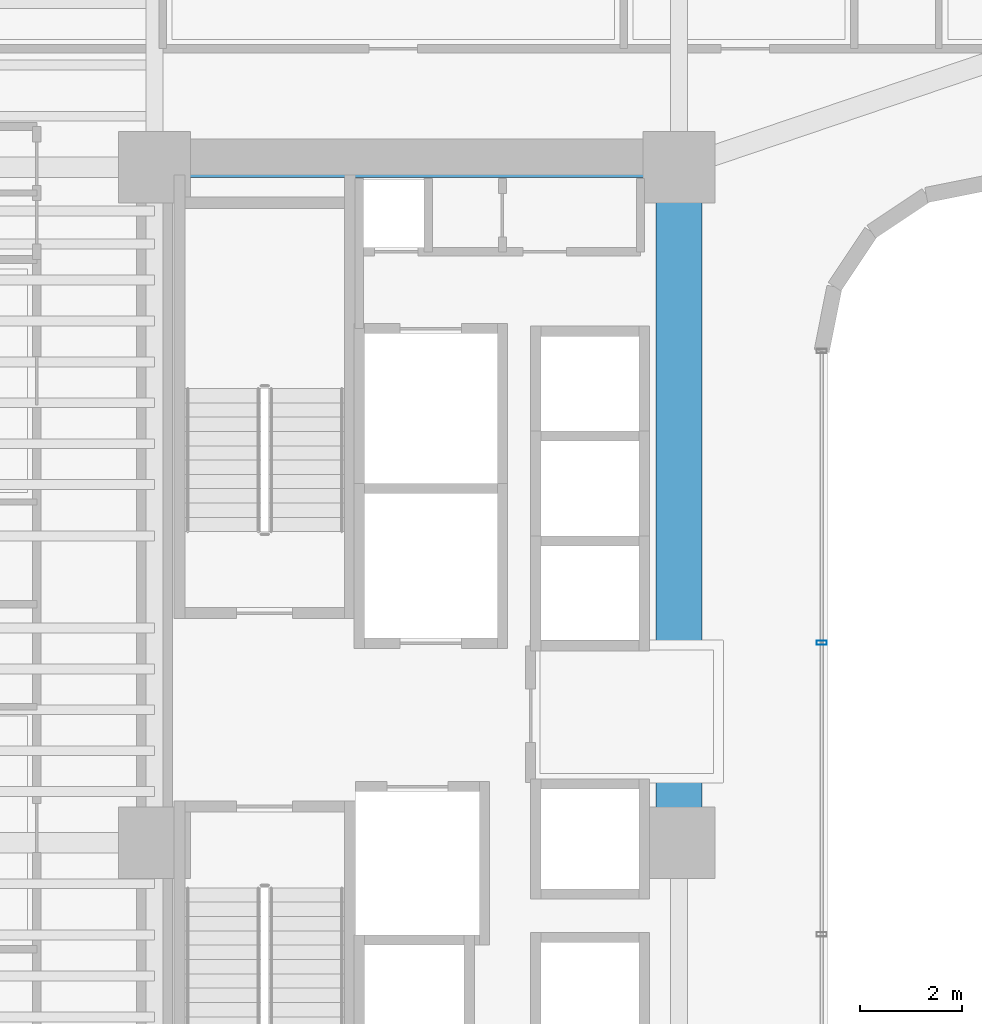
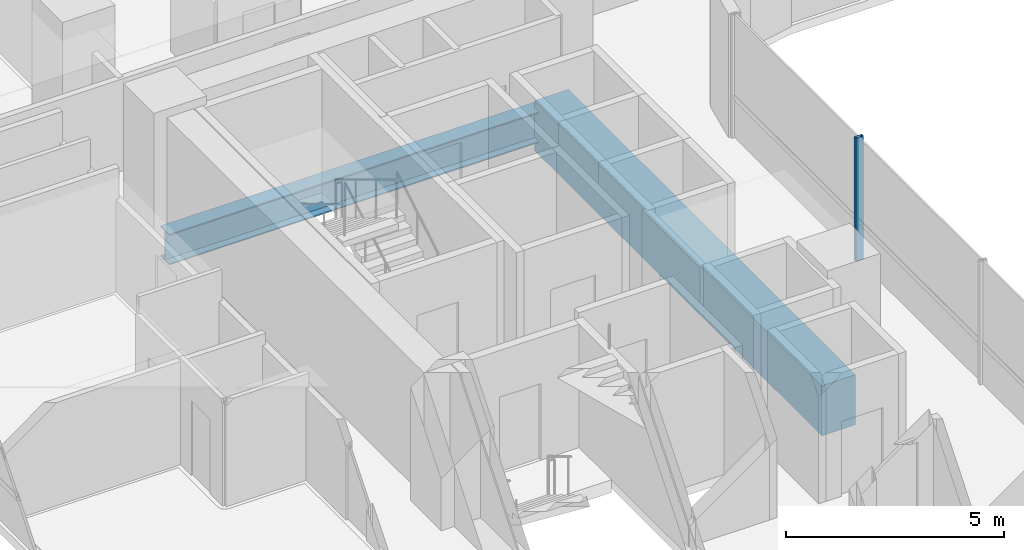
# One storey, part 11 of 42: 2 beams, 1 member, 1 element without a shape of its own.
"""IFC4 building model written with IfcOpenShell, lengths in metres."""

from ifc_helpers import new_model, si_unit, direction, frame, origin, origin_2d, place, context, subcontext, project, spatial, rectangle, hollow_rectangle, i_section, extrude, source, transform, mapped, material, material_profile, profile_set, type_object, element, aggregate, save


model = new_model("IFC4")

# Units and contexts
model_context = context("Model", 3, precision=1e-05, world=origin(), true_north=direction((0.0, 1.0)))
body_context = subcontext(model_context, "Body", "Model", "MODEL_VIEW")
ifc_project = project(units=[si_unit("LENGTHUNIT", "METRE"), si_unit("AREAUNIT", "SQUARE_METRE"), si_unit("VOLUMEUNIT", "CUBIC_METRE"), si_unit("PLANEANGLEUNIT", "RADIAN"), si_unit("MASSUNIT", "GRAM", prefix="KILO")], contexts=[model_context])

# Site, building, storey
site_placement = place(None, origin())
site = spatial("IfcSite", under=ifc_project, at=site_placement, CompositionType="ELEMENT")
building_placement = place(site_placement, origin())
building = spatial("IfcBuilding", under=site, at=building_placement, Name="Valdorenza Pilgrim Sanctuary Tower", CompositionType="ELEMENT")
storey_placement = place(building_placement, frame((0.0, 0.0, 29.699951171875)))
storey = spatial("IfcBuildingStorey", under=building, at=storey_placement, Name="L06", CompositionType="ELEMENT", Elevation=29.699951171875)

# Beams
ifc_material_1 = material(Name="Concrete C60/75", Category="concrete")
ifc_material_profile_1 = material_profile(ifc_material_1, rectangle(XDim=0.89990234375, YDim=1.39990234375, at=origin_2d()), Name="RC 1400x900")
ifc_profile_set_1 = profile_set([ifc_material_profile_1], Name="Concrete C60/75")
beam_type_1 = type_object("IfcBeamType", Name="STR-BM-LNT-1400", PredefinedType="LINTEL", material=ifc_profile_set_1)
shared_shape_1 = source(origin(), body_context, "Body", "SweptSolid", [
    extrude(rectangle(XDim=0.89990234375, YDim=1.39990234375, at=origin_2d()), origin(), (0.0, 0.0, 1.0), 13.2001953125),
])
beam_1_placement = place(storey_placement, frame((-12.39990234375, -2.60009765625, -0.739990234375), z_axis=(0.0, 1.0, 0.0), x_axis=(-1.0, 0.0, 0.0)))
element("IfcBeam", 1, at=beam_1_placement, inside=storey, type_object=beam_type_1, Name="L06 Core A Coupling Lintel Girder", PredefinedType="LINTEL", context=body_context, shape_type="MappedRepresentation", body=[
    mapped(shared_shape_1, transform((0.0, 0.0, 0.0), x_axis=(1.0, 0.0, 0.0), y_axis=(0.0, 1.0, 0.0), z_axis=(0.0, 0.0, 1.0), scale=1.0)),
])
ifc_material_2 = material(Name="Steel ASTM A992 Grade 50", Category="steel")
ifc_material_profile_2 = material_profile(ifc_material_2, i_section(OverallWidth=0.39990234375, OverallDepth=0.862060546875, WebThickness=0.019775390625, FlangeThickness=0.032470703125, at=origin_2d()), Name="W33X221")
ifc_profile_set_2 = profile_set([ifc_material_profile_2], Name="Steel ASTM A992 Grade 50")
beam_type_2 = type_object("IfcBeamType", Name="STR-BM-GRD-W33", PredefinedType="BEAM", material=ifc_profile_set_2)
shared_shape_2 = source(origin(), body_context, "Body", "SweptSolid", [
    extrude(i_section(OverallWidth=0.39990234375, OverallDepth=0.862060546875, WebThickness=0.019775390625, FlangeThickness=0.032470703125, at=origin_2d()), origin(), (0.0, 0.0, 1.0), 10.25),
])
beam_2_placement = place(storey_placement, frame((-22.64990234375, 10.60009765625, -0.6708984375), z_axis=(1.0, 0.0, 0.0), x_axis=(0.0, 1.0, 0.0)))
element("IfcBeam", 2, at=beam_2_placement, inside=storey, type_object=beam_type_2, Name="L06 Floor Girder CA-XC-N1", PredefinedType="BEAM", context=body_context, shape_type="MappedRepresentation", body=[
    mapped(shared_shape_2, transform((0.0, 0.0, 0.0), x_axis=(1.0, 0.0, 0.0), y_axis=(0.0, 1.0, 0.0), z_axis=(0.0, 0.0, 1.0), scale=1.0)),
])

# Curtain wall, member
ifc_material_3 = material(Name="Curtain-wall IGU glazing", Category="glass")
curtain_wall_type = type_object("IfcCurtainWallType", Name="CW-SYS-02", PredefinedType="NOTDEFINED", material=ifc_material_3)
curtain_wall_placement = place(storey_placement, origin())
curtain_wall = element("IfcCurtainWall", 3, at=curtain_wall_placement, inside=storey, type_object=curtain_wall_type, Name="L06 Curtain Wall CW-L06-1-41", PredefinedType="NOTDEFINED")
ifc_material_4 = material(Name="Anodised aluminium AW-6060", Category="aluminium")
ifc_material_profile_3 = material_profile(ifc_material_4, hollow_rectangle(XDim=0.0849609375, YDim=0.199951171875, WallThickness=0.0048828125, at=origin_2d()), Name="ALU-M 200x85x5")
ifc_profile_set_3 = profile_set([ifc_material_profile_3], Name="Anodised aluminium AW-6060")
member_type = type_object("IfcMemberType", Name="CW-MUL-02", PredefinedType="MULLION", material=ifc_profile_set_3)
shared_shape_3 = source(origin(), body_context, "Body", "SweptSolid", [
    extrude(hollow_rectangle(XDim=0.0849609375, YDim=0.199951171875, WallThickness=0.0048828125, at=origin_2d()), origin(), (0.0, 0.0, 1.0), 3.4599609375),
])
member_placement = place(storey_placement, frame((-9.610107421875, 1.310791015625, 0.0), z_axis=(0.0, 0.0, 1.0), x_axis=(0.0, -1.0, 0.0)))
member = element("IfcMember", 4, at=member_placement, type_object=member_type, Name="CW-L06-1-41 Mullion 2", PredefinedType="MULLION", context=body_context, shape_type="MappedRepresentation", body=[
    mapped(shared_shape_3, transform((0.0, 0.0, 0.0), x_axis=(1.0, 0.0, 0.0), y_axis=(0.0, 1.0, 0.0), z_axis=(0.0, 0.0, 1.0), scale=1.0)),
])
aggregate(curtain_wall, [member])

save(model, "model.ifc")
